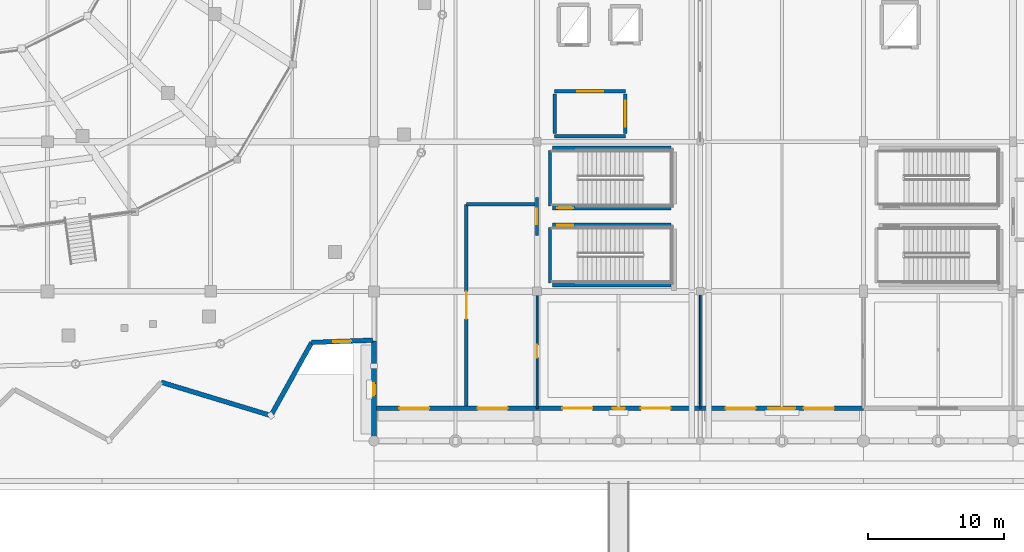
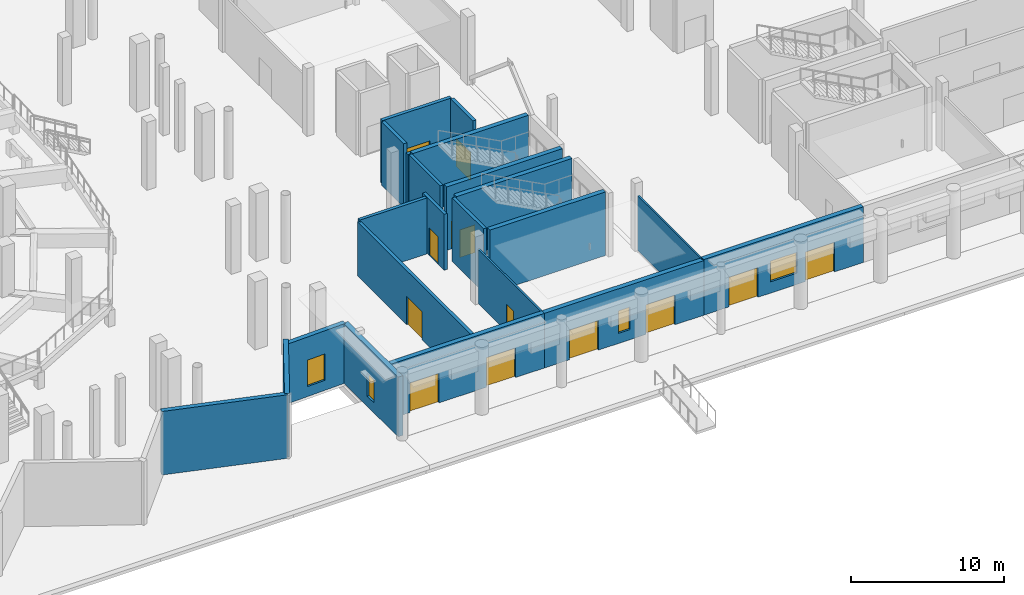
# One storey, part 63 of 120: 22 walls, 13 doors, 4 windows, 17 openings.
"""IFC4 building model written with IfcOpenShell, lengths in metres."""

from ifc_helpers import new_model, si_unit, direction, frame, frame_2d, origin, place, context, subcontext, project, spatial, rectangle, extrude, material, layer, layer_set, type_object, element, fill, save


model = new_model("IFC4")

# Units and contexts
model_context = context("Model", 3, precision=1e-05, world=origin(), true_north=direction((0.0, 1.0)))
body_context = subcontext(model_context, "Body", "Model", "MODEL_VIEW")
ifc_project = project(units=[si_unit("LENGTHUNIT", "METRE"), si_unit("AREAUNIT", "SQUARE_METRE"), si_unit("VOLUMEUNIT", "CUBIC_METRE"), si_unit("PLANEANGLEUNIT", "RADIAN"), si_unit("MASSUNIT", "GRAM", prefix="KILO")], contexts=[model_context])

# Site, building, storey
site_placement = place(None, origin())
site = spatial("IfcSite", under=ifc_project, at=site_placement, CompositionType="ELEMENT")
building_placement = place(site_placement, origin())
building = spatial("IfcBuilding", under=site, at=building_placement, Name="Luwafu Chhajja Arena", CompositionType="ELEMENT")
storey_placement = place(building_placement, origin())
storey = spatial("IfcBuildingStorey", under=building, at=storey_placement, Name="L00", CompositionType="ELEMENT", Elevation=0.0)

# Wall, opening, door
ifc_material_1 = material(Name="Concrete blockwork masonry", Category="masonry")
ifc_layer_1 = layer(ifc_material_1, 0.239990234375, Name="Concrete blockwork masonry")
ifc_layer_set_1 = layer_set([ifc_layer_1], Name="Concrete blockwork masonry")
wall_type_1 = type_object("IfcWallType", Name="Compartment Masonry Partition 240", PredefinedType="PARTITIONING", material=ifc_layer_set_1)
wall_1_placement = place(storey_placement, frame((146.800048828125, 2.550048828125, 0.0), z_axis=(0.0, 0.0, 1.0), x_axis=(0.0, 1.0, 0.0)))
wall_1 = element("IfcWall", 1, at=wall_1_placement, inside=storey, type_object=wall_type_1, Name="L00 Protected Exit Passageway EI 120 Wall WXP-C2-W", PredefinedType="PARTITIONING", context=body_context, shape_type="SweptSolid", body=[
    extrude(rectangle(XDim=14.849853515625, YDim=0.239990234375, at=frame_2d((7.4248046875, 0.0))), origin(), (0.0, 0.0, 1.0), 4.300048828125),
])
opening_1_placement = place(wall_1_placement, frame((6.425048828125, 0.0, 0.0)))
opening_1 = element("IfcOpeningElement", 2, at=opening_1_placement, cuts=wall_1, Name="Opening DR-08", PredefinedType="OPENING", context=body_context, shape_type="SweptSolid", body=[
    extrude(rectangle(XDim=2.0, YDim=2.25, at=frame_2d((1.0, 1.125))), frame((0.0, 0.1298828125, 0.0), z_axis=(0.0, -1.0, 0.0), x_axis=(1.0, 0.0, 0.0)), (0.0, 0.0, 1.0), 0.260009765625),
])
ifc_material_2 = material(Name="Fire-rated hardwood double leaf", Category="wood")
door_type_1 = type_object("IfcDoorType", Name="DR-08", OperationType="DOUBLE_DOOR_SINGLE_SWING", PredefinedType="DOOR", material=ifc_material_2)
door_1_placement = place(opening_1_placement, origin())
door_1 = element("IfcDoor", 3, at=door_1_placement, inside=storey, type_object=door_type_1, Name="L00 Protected Exit Passageway Fire Door L00-D068", OperationType="DOUBLE_DOOR_SINGLE_SWING", OverallHeight=2.25, OverallWidth=2.0, PredefinedType="DOOR", context=body_context, shape_type="SweptSolid", body=[
    extrude(rectangle(XDim=2.0, YDim=2.25, at=frame_2d((1.0, 1.125))), frame((0.0, 0.02490234375, 0.0), z_axis=(0.0, -1.0, 0.0), x_axis=(1.0, 0.0, 0.0)), (0.0, 0.0, 1.0), 0.050048828125),
])
fill(opening_1, door_1)

# Wall
wall_2_placement = place(storey_placement, frame((146.800048828125, 17.39990234375, 0.0), z_axis=(0.0, 0.0, 1.0), x_axis=(1.0, 0.0, 0.0)))
element("IfcWall", 4, at=wall_2_placement, inside=storey, type_object=wall_type_1, Name="L00 Protected Exit Passageway EI 120 Wall WXP-C2-N", PredefinedType="PARTITIONING", context=body_context, shape_type="SweptSolid", body=[
    extrude(rectangle(XDim=5.050048828125, YDim=0.239990234375, at=frame_2d((2.52490234375, 0.0))), origin(), (0.0, 0.0, 1.0), 4.449951171875),
])

# Wall, opening, door
wall_3_placement = place(storey_placement, frame((152.0, 15.10009765625, 0.0), z_axis=(0.0, 0.0, 1.0), x_axis=(0.0, 1.0, 0.0)))
wall_3 = element("IfcWall", 5, at=wall_3_placement, inside=storey, type_object=wall_type_1, Name="L00 Protected Exit Corridor Mouth Wall WXP-M-C2", PredefinedType="PARTITIONING", context=body_context, shape_type="SweptSolid", body=[
    extrude(rectangle(XDim=2.7998046875, YDim=0.239990234375, at=frame_2d((1.39990234375, 0.0))), origin(), (0.0, 0.0, 1.0), 4.449951171875),
])
opening_2_placement = place(wall_3_placement, frame((0.824951171875, 0.0, 0.0)))
opening_2 = element("IfcOpeningElement", 6, at=opening_2_placement, cuts=wall_3, Name="Opening DR-06", PredefinedType="OPENING", context=body_context, shape_type="SweptSolid", body=[
    extrude(rectangle(XDim=1.14990234375, YDim=2.199951171875, at=frame_2d((0.574951171875, 1.10009765625))), frame((0.0, 0.1298828125, 0.0), z_axis=(0.0, -1.0, 0.0), x_axis=(1.0, 0.0, 0.0)), (0.0, 0.0, 1.0), 0.260009765625),
])
ifc_material_3 = material(Name="Fire-rated hardwood and steel core", Category="steel")
door_type_2 = type_object("IfcDoorType", Name="DR-06", OperationType="NOTDEFINED", PredefinedType="DOOR", material=ifc_material_3)
door_2_placement = place(opening_2_placement, origin())
door_2 = element("IfcDoor", 7, at=door_2_placement, inside=storey, type_object=door_type_2, Name="L00 Protected Exit Corridor Fire Door L00-D075", OperationType="SINGLE_SWING_LEFT", OverallHeight=2.199951171875, OverallWidth=1.14990234375, PredefinedType="DOOR", context=body_context, shape_type="SweptSolid", body=[
    extrude(rectangle(XDim=1.14990234375, YDim=2.199951171875, at=frame_2d((0.574951171875, 1.10009765625))), frame((0.0, 0.02490234375, 0.0), z_axis=(0.0, -1.0, 0.0), x_axis=(1.0, 0.0, 0.0)), (0.0, 0.0, 1.0), 0.050048828125),
])
fill(opening_2, door_2)

ifc_material_4 = material(Name="Lightweight blockwork partition", Category="masonry")
ifc_layer_2 = layer(ifc_material_4, 0.139892578125, Name="Lightweight blockwork partition")
ifc_layer_set_2 = layer_set([ifc_layer_2], Name="Lightweight blockwork partition")
wall_type_2 = type_object("IfcWallType", Name="Concourse Kiosk Partition 140", PredefinedType="PARTITIONING", material=ifc_layer_set_2)
wall_4_placement = place(storey_placement, frame((152.0, 2.39990234375, 0.0), z_axis=(0.0, 0.0, 1.0), x_axis=(0.0, 1.0, 0.0)))
wall_4 = element("IfcWall", 8, at=wall_4_placement, inside=storey, type_object=wall_type_2, Name="L00 Internal Partition 0172", PredefinedType="PARTITIONING", context=body_context, shape_type="SweptSolid", body=[
    extrude(rectangle(XDim=8.380126953125, YDim=0.139892578125, at=frame_2d((4.18994140625, 0.0))), origin(), (0.0, 0.0, 1.0), 4.300048828125),
])
opening_3_placement = place(wall_4_placement, frame((3.7099609375, 0.0, 0.0)))
opening_3 = element("IfcOpeningElement", 9, at=opening_3_placement, cuts=wall_4, Name="Opening DR-22", PredefinedType="OPENING", context=body_context, shape_type="SweptSolid", body=[
    extrude(rectangle(XDim=0.9599609375, YDim=2.14990234375, at=frame_2d((0.47998046875, 1.074951171875))), frame((0.0, 0.079833984375, 0.0), z_axis=(0.0, -1.0, 0.0), x_axis=(1.0, 0.0, 0.0)), (0.0, 0.0, 1.0), 0.159912109375),
])
ifc_material_5 = material(Name="Hardwood flush office door", Category="wood")
door_type_3 = type_object("IfcDoorType", Name="DR-22", OperationType="NOTDEFINED", PredefinedType="DOOR", material=ifc_material_5)
door_3_placement = place(opening_3_placement, origin())
door_3 = element("IfcDoor", 10, at=door_3_placement, inside=storey, type_object=door_type_3, Name="L00 Interior Door L00-D047", OperationType="SINGLE_SWING_RIGHT", OverallHeight=2.14990234375, OverallWidth=0.9599609375, PredefinedType="DOOR", context=body_context, shape_type="SweptSolid", body=[
    extrude(rectangle(XDim=0.9599609375, YDim=2.14990234375, at=frame_2d((0.47998046875, 1.074951171875))), frame((0.0, 0.02490234375, 0.0), z_axis=(0.0, -1.0, 0.0), x_axis=(1.0, 0.0, 0.0)), (0.0, 0.0, 1.0), 0.050048828125),
])
fill(opening_3, door_3)

ifc_material_6 = material(Name="Concrete C40/50", Category="concrete")
ifc_layer_3 = layer(ifc_material_6, 0.260009765625, Name="Concrete C40/50")
ifc_layer_set_3 = layer_set([ifc_layer_3], Name="Concrete C40/50")
wall_type_3 = type_object("IfcWallType", Name="Firefighting Lobby Wall 260", PredefinedType="SOLIDWALL", material=ifc_layer_set_3)
wall_5_placement = place(storey_placement, frame((153.300048828125, 25.699951171875, 0.0), z_axis=(0.0, 0.0, 1.0), x_axis=(1.0, 0.0, 0.0)))
wall_5 = element("IfcWall", 11, at=wall_5_placement, inside=storey, type_object=wall_type_3, Name="L00 Core C2 Firefighting Lobby Wall N", PredefinedType="SOLIDWALL", context=body_context, shape_type="SweptSolid", body=[
    extrude(rectangle(XDim=5.199951171875, YDim=0.260009765625, at=frame_2d((2.60009765625, 0.0))), origin(), (0.0, 0.0, 1.0), 5.06005859375),
])
opening_4_placement = place(wall_5_placement, frame((1.64990234375, 0.0, 0.0)))
opening_4 = element("IfcOpeningElement", 12, at=opening_4_placement, cuts=wall_5, Name="Opening DR-07", PredefinedType="OPENING", context=body_context, shape_type="SweptSolid", body=[
    extrude(rectangle(XDim=1.89990234375, YDim=2.199951171875, at=frame_2d((0.949951171875, 1.10009765625))), frame((0.0, 0.139892578125, 0.0), z_axis=(0.0, -1.0, 0.0), x_axis=(1.0, 0.0, 0.0)), (0.0, 0.0, 1.0), 0.280029296875),
])
ifc_material_7 = material(Name="Fire-rated hardwood and vision panel", Category="wood")
door_type_4 = type_object("IfcDoorType", Name="DR-07", OperationType="DOUBLE_DOOR_SINGLE_SWING", PredefinedType="DOOR", material=ifc_material_7)
door_4_placement = place(opening_4_placement, origin())
door_4 = element("IfcDoor", 13, at=door_4_placement, inside=storey, type_object=door_type_4, Name="L00 Firefighting Lobby C2 Door L00-D007", OperationType="DOUBLE_DOOR_SINGLE_SWING", OverallHeight=2.199951171875, OverallWidth=1.89990234375, PredefinedType="DOOR", context=body_context, shape_type="SweptSolid", body=[
    extrude(rectangle(XDim=1.89990234375, YDim=2.199951171875, at=frame_2d((0.949951171875, 1.10009765625))), frame((0.0, 0.02490234375, 0.0), z_axis=(0.0, -1.0, 0.0), x_axis=(1.0, 0.0, 0.0)), (0.0, 0.0, 1.0), 0.050048828125),
])
fill(opening_4, door_4)

# Walls
wall_6_placement = place(storey_placement, frame((153.300048828125, 22.39990234375, 0.0), z_axis=(0.0, 0.0, 1.0), x_axis=(1.0, 0.0, 0.0)))
element("IfcWall", 14, at=wall_6_placement, inside=storey, type_object=wall_type_3, Name="L00 Core C2 Firefighting Lobby Wall S", PredefinedType="SOLIDWALL", context=body_context, shape_type="SweptSolid", body=[
    extrude(rectangle(XDim=5.199951171875, YDim=0.260009765625, at=frame_2d((2.60009765625, 0.0))), origin(), (0.0, 0.0, 1.0), 4.366455078125),
])
wall_7_placement = place(storey_placement, frame((153.300048828125, 22.60009765625, 0.0), z_axis=(0.0, 0.0, 1.0), x_axis=(0.0, 1.0, 0.0)))
element("IfcWall", 15, at=wall_7_placement, inside=storey, type_object=wall_type_3, Name="L00 Core C2 Firefighting Lobby Wall W", PredefinedType="SOLIDWALL", context=body_context, shape_type="SweptSolid", body=[
    extrude(rectangle(XDim=2.89990234375, YDim=0.260009765625, at=frame_2d((1.449951171875, 0.0))), origin(), (0.0, 0.0, 1.0), 5.06005859375),
])

# Wall, opening, door
wall_8_placement = place(storey_placement, frame((158.5, 22.60009765625, 0.0), z_axis=(0.0, 0.0, 1.0), x_axis=(0.0, 1.0, 0.0)))
wall_8 = element("IfcWall", 16, at=wall_8_placement, inside=storey, type_object=wall_type_3, Name="L00 Core C2 Firefighting Lobby Wall E", PredefinedType="SOLIDWALL", context=body_context, shape_type="SweptSolid", body=[
    extrude(rectangle(XDim=2.89990234375, YDim=0.260009765625, at=frame_2d((1.449951171875, 0.0))), origin(), (0.0, 0.0, 1.0), 5.06005859375),
])
opening_5_placement = place(wall_8_placement, frame((0.5, 0.0, 0.0)))
opening_5 = element("IfcOpeningElement", 17, at=opening_5_placement, cuts=wall_8, Name="Opening DR-07", PredefinedType="OPENING", context=body_context, shape_type="SweptSolid", body=[
    extrude(rectangle(XDim=1.89990234375, YDim=2.199951171875, at=frame_2d((0.949951171875, 1.10009765625))), frame((0.0, 0.139892578125, 0.0), z_axis=(0.0, -1.0, 0.0), x_axis=(1.0, 0.0, 0.0)), (0.0, 0.0, 1.0), 0.280029296875),
])
door_5_placement = place(opening_5_placement, origin())
door_5 = element("IfcDoor", 18, at=door_5_placement, inside=storey, type_object=door_type_4, Name="L00 Firefighting Lobby C2 Door L00-D008", OperationType="DOUBLE_DOOR_SINGLE_SWING", OverallHeight=2.199951171875, OverallWidth=1.89990234375, PredefinedType="DOOR", context=body_context, shape_type="SweptSolid", body=[
    extrude(rectangle(XDim=1.89990234375, YDim=2.199951171875, at=frame_2d((0.949951171875, 1.10009765625))), frame((0.0, 0.02490234375, 0.0), z_axis=(0.0, -1.0, 0.0), x_axis=(1.0, 0.0, 0.0)), (0.0, 0.0, 1.0), 0.050048828125),
])
fill(opening_5, door_5)

# Walls
ifc_material_8 = material(Name="Acoustic metal-stud gypsum board")
ifc_layer_4 = layer(ifc_material_8, 0.1201171875, Name="Acoustic metal-stud gypsum board")
ifc_layer_set_4 = layer_set([ifc_layer_4], Name="Acoustic metal-stud gypsum board")
wall_type_4 = type_object("IfcWallType", Name="Internal Room Partition 120", PredefinedType="PARTITIONING", material=ifc_layer_set_4)
wall_9_placement = place(storey_placement, frame((164.0, 2.39990234375, 0.0), z_axis=(0.0, 0.0, 1.0), x_axis=(0.0, 1.0, 0.0)))
element("IfcWall", 19, at=wall_9_placement, inside=storey, type_object=wall_type_4, Name="L00 Internal Partition 0176", PredefinedType="PARTITIONING", context=body_context, shape_type="SweptSolid", body=[
    extrude(rectangle(XDim=8.380126953125, YDim=0.1201171875, at=frame_2d((4.18994140625, 0.0))), origin(), (0.0, 0.0, 1.0), 4.35009765625),
])
ifc_material_9 = material(Name="Precast concrete C40/50", Category="concrete")
ifc_layer_5 = layer(ifc_material_9, 0.340087890625, Name="Precast concrete C40/50")
ifc_layer_set_5 = layer_set([ifc_layer_5], Name="Precast concrete C40/50")
wall_type_5 = type_object("IfcWallType", Name="Pleated Bowl V-Fold Wall 340", PredefinedType="USERDEFINED", material=ifc_layer_set_5)
wall_10_placement = place(storey_placement, frame((124.364013671875, 4.316162109375, 0.0), z_axis=(0.0, 0.0, 1.0), x_axis=(0.956738407321, -0.290949514446, 0.0)))
element("IfcWall", 20, at=wall_10_placement, inside=storey, type_object=wall_type_5, Name="L00 Pleated Bowl V-Fold Wall 54", ObjectType="PLEATED FACADE WALL", PredefinedType="USERDEFINED", context=body_context, shape_type="SweptSolid", body=[
    extrude(rectangle(XDim=8.427978515625, YDim=0.340087890625, at=frame_2d((4.2138671875, 0.0))), origin(), (0.0, 0.0, 1.0), 5.054931640625),
])
wall_11_placement = place(storey_placement, frame((132.427490234375, 1.864013671875, 0.0), z_axis=(0.0, 0.0, 1.0), x_axis=(0.487306352228, 0.87323108, 0.0)))
element("IfcWall", 21, at=wall_11_placement, inside=storey, type_object=wall_type_5, Name="L00 Pleated Bowl V-Fold Wall 55", ObjectType="PLEATED FACADE WALL", PredefinedType="USERDEFINED", context=body_context, shape_type="SweptSolid", body=[
    extrude(rectangle(XDim=6.15283203125, YDim=0.340087890625, at=frame_2d((3.076416015625, 0.0))), origin(), (0.0, 0.0, 1.0), 5.054931640625),
])

# Wall, opening, window
wall_12_placement = place(storey_placement, frame((135.42578125, 7.23681640625, 0.0), z_axis=(0.0, 0.0, 1.0), x_axis=(0.999296191983, 0.037511607381, 0.0)))
wall_12 = element("IfcWall", 22, at=wall_12_placement, inside=storey, type_object=wall_type_5, Name="L00 Pleated Bowl V-Fold Wall 56", ObjectType="PLEATED FACADE WALL", PredefinedType="USERDEFINED", context=body_context, shape_type="SweptSolid", body=[
    extrude(rectangle(XDim=4.497314453125, YDim=0.340087890625, at=frame_2d((2.24853515625, 0.0))), origin(), (0.0, 0.0, 1.0), 4.743408203125),
])
opening_6_placement = place(wall_12_placement, frame((1.573486328125, 0.0, 0.800048828125)))
opening_6 = element("IfcOpeningElement", 23, at=opening_6_placement, cuts=wall_12, Name="Opening WN-17", PredefinedType="OPENING", context=body_context, shape_type="SweptSolid", body=[
    extrude(rectangle(XDim=1.35009765625, YDim=2.10009765625, at=frame_2d((0.675048828125, 1.050048828125))), frame((0.0, 0.179931640625, 0.0), z_axis=(0.0, -1.0, 0.0), x_axis=(1.0, 0.0, 0.0)), (0.0, 0.0, 1.0), 0.360107421875),
])
ifc_material_10 = material(Name="Solar-control laminated glass", Category="glass")
window_type_1 = type_object("IfcWindowType", Name="Exhibition Mezzanine Lancet Window 1350x2100", PartitioningType="SINGLE_PANEL", PredefinedType="WINDOW", material=ifc_material_10)
window_1_placement = place(opening_6_placement, origin())
window_1 = element("IfcWindow", 24, at=window_1_placement, inside=storey, type_object=window_type_1, Name="L00 Pleated Bowl Lancet Window 002", OverallHeight=2.10009765625, OverallWidth=1.35009765625, PartitioningType="SINGLE_PANEL", PredefinedType="WINDOW", context=body_context, shape_type="SweptSolid", body=[
    extrude(rectangle(XDim=1.35009765625, YDim=2.10009765625, at=frame_2d((0.675048828125, 1.050048828125))), frame((0.0, 0.030029296875, 0.0), z_axis=(0.0, -1.0, 0.0), x_axis=(1.0, 0.0, 0.0)), (0.0, 0.0, 1.0), 0.06005859375),
])
fill(opening_6, window_1)

# Wall
ifc_layer_6 = layer(ifc_material_6, 0.35009765625, Name="Concrete C40/50")
ifc_layer_set_6 = layer_set([ifc_layer_6], Name="Concrete C40/50")
wall_type_6 = type_object("IfcWallType", Name="RC Core Shear Wall 350", PredefinedType="SOLIDWALL", material=ifc_layer_set_6)
wall_13_placement = place(storey_placement, frame((153.14990234375, 11.47802734375, 0.0), z_axis=(0.0, 0.0, 1.0), x_axis=(1.0, 0.0, 0.0)))
element("IfcWall", 25, at=wall_13_placement, inside=storey, type_object=wall_type_6, Name="L00 Stair ST-03 Core Shear Wall S", PredefinedType="SOLIDWALL", context=body_context, shape_type="SweptSolid", body=[
    extrude(rectangle(XDim=8.7001953125, YDim=0.35009765625, at=frame_2d((4.35009765625, 0.0))), origin(), (0.0, 0.0, 1.0), 5.06005859375),
])

# Wall, opening, door
wall_14_placement = place(storey_placement, frame((153.14990234375, 15.862060546875, 0.0), z_axis=(0.0, 0.0, 1.0), x_axis=(1.0, 0.0, 0.0)))
wall_14 = element("IfcWall", 26, at=wall_14_placement, inside=storey, type_object=wall_type_6, Name="L00 Stair ST-03 Core Shear Wall N", PredefinedType="SOLIDWALL", context=body_context, shape_type="SweptSolid", body=[
    extrude(rectangle(XDim=8.7001953125, YDim=0.35009765625, at=frame_2d((4.35009765625, 0.0))), origin(), (0.0, 0.0, 1.0), 5.06005859375),
])
opening_7_placement = place(wall_14_placement, frame((0.35009765625, 0.0, 0.0)))
opening_7 = element("IfcOpeningElement", 27, at=opening_7_placement, cuts=wall_14, Name="Opening DR-06", PredefinedType="OPENING", context=body_context, shape_type="SweptSolid", body=[
    extrude(rectangle(XDim=1.14990234375, YDim=2.199951171875, at=frame_2d((0.574951171875, 1.10009765625))), frame((0.0, 0.18505859375, 0.0), z_axis=(0.0, -1.0, 0.0), x_axis=(1.0, 0.0, 0.0)), (0.0, 0.0, 1.0), 0.3701171875),
])
door_6_placement = place(opening_7_placement, origin())
door_6 = element("IfcDoor", 28, at=door_6_placement, inside=storey, type_object=door_type_2, Name="L00 Escape Stair ST-03 Fire Door L00-D005", OperationType="SINGLE_SWING_RIGHT", OverallHeight=2.199951171875, OverallWidth=1.14990234375, PredefinedType="DOOR", context=body_context, shape_type="SweptSolid", body=[
    extrude(rectangle(XDim=1.14990234375, YDim=2.199951171875, at=frame_2d((0.574951171875, 1.10009765625))), frame((0.0, 0.02490234375, 0.0), z_axis=(0.0, -1.0, 0.0), x_axis=(1.0, 0.0, 0.0)), (0.0, 0.0, 1.0), 0.050048828125),
])
fill(opening_7, door_6)

wall_15_placement = place(storey_placement, frame((153.14990234375, 17.137939453125, 0.0), z_axis=(0.0, 0.0, 1.0), x_axis=(1.0, 0.0, 0.0)))
wall_15 = element("IfcWall", 29, at=wall_15_placement, inside=storey, type_object=wall_type_6, Name="L00 Stair ST-04 Core Shear Wall S", PredefinedType="SOLIDWALL", context=body_context, shape_type="SweptSolid", body=[
    extrude(rectangle(XDim=8.7001953125, YDim=0.35009765625, at=frame_2d((4.35009765625, 0.0))), origin(), (0.0, 0.0, 1.0), 5.06005859375),
])
opening_8_placement = place(wall_15_placement, frame((0.35009765625, 0.0, 0.0)))
opening_8 = element("IfcOpeningElement", 30, at=opening_8_placement, cuts=wall_15, Name="Opening DR-06", PredefinedType="OPENING", context=body_context, shape_type="SweptSolid", body=[
    extrude(rectangle(XDim=1.14990234375, YDim=2.199951171875, at=frame_2d((0.574951171875, 1.10009765625))), frame((0.0, 0.18505859375, 0.0), z_axis=(0.0, -1.0, 0.0), x_axis=(1.0, 0.0, 0.0)), (0.0, 0.0, 1.0), 0.3701171875),
])
door_7_placement = place(opening_8_placement, origin())
door_7 = element("IfcDoor", 31, at=door_7_placement, inside=storey, type_object=door_type_2, Name="L00 Escape Stair ST-04 Fire Door L00-D006", OperationType="SINGLE_SWING_LEFT", OverallHeight=2.199951171875, OverallWidth=1.14990234375, PredefinedType="DOOR", context=body_context, shape_type="SweptSolid", body=[
    extrude(rectangle(XDim=1.14990234375, YDim=2.199951171875, at=frame_2d((0.574951171875, 1.10009765625))), frame((0.0, 0.02490234375, 0.0), z_axis=(0.0, -1.0, 0.0), x_axis=(1.0, 0.0, 0.0)), (0.0, 0.0, 1.0), 0.050048828125),
])
fill(opening_8, door_7)

# Wall
wall_16_placement = place(storey_placement, frame((153.14990234375, 21.52197265625, 0.0), z_axis=(0.0, 0.0, 1.0), x_axis=(1.0, 0.0, 0.0)))
element("IfcWall", 32, at=wall_16_placement, inside=storey, type_object=wall_type_6, Name="L00 Stair ST-04 Core Shear Wall N", PredefinedType="SOLIDWALL", context=body_context, shape_type="SweptSolid", body=[
    extrude(rectangle(XDim=8.7001953125, YDim=0.35009765625, at=frame_2d((4.35009765625, 0.0))), origin(), (0.0, 0.0, 1.0), 5.06005859375),
])

# Wall, openings, doors
ifc_material_11 = material(Name="Concrete C35/45", Category="concrete")
ifc_layer_7 = layer(ifc_material_11, 0.360107421875, Name="Concrete C35/45")
ifc_layer_set_7 = layer_set([ifc_layer_7], Name="Concrete C35/45")
wall_type_7 = type_object("IfcWallType", Name="Sandstone Backed Exterior Wall 360", PredefinedType="SOLIDWALL", material=ifc_layer_set_7)
wall_17_placement = place(storey_placement, frame((140.0, 2.39990234375, 0.0), z_axis=(0.0, 0.0, 1.0), x_axis=(1.0, 0.0, 0.0)))
wall_17 = element("IfcWall", 33, at=wall_17_placement, inside=storey, type_object=wall_type_7, Name="L00 Exterior Wall WEX-L00-081", PredefinedType="SOLIDWALL", context=body_context, shape_type="SweptSolid", body=[
    extrude(rectangle(XDim=12.0, YDim=0.360107421875, at=frame_2d((6.0, 0.0))), origin(), (0.0, 0.0, 1.0), 4.35009765625),
])
opening_9_placement = place(wall_17_placement, frame((1.8701171875, 0.0, 0.0)))
opening_9 = element("IfcOpeningElement", 34, at=opening_9_placement, cuts=wall_17, Name="Opening DR-03", PredefinedType="OPENING", context=body_context, shape_type="SweptSolid", body=[
    extrude(rectangle(XDim=2.199951171875, YDim=2.35009765625, at=frame_2d((1.10009765625, 1.175048828125))), frame((0.0, 0.18994140625, 0.0), z_axis=(0.0, -1.0, 0.0), x_axis=(1.0, 0.0, 0.0)), (0.0, 0.0, 1.0), 0.380126953125),
])
opening_10_placement = place(wall_17_placement, frame((7.6298828125, 0.0, 0.0)))
opening_10 = element("IfcOpeningElement", 35, at=opening_10_placement, cuts=wall_17, Name="Opening DR-03", PredefinedType="OPENING", context=body_context, shape_type="SweptSolid", body=[
    extrude(rectangle(XDim=2.199951171875, YDim=2.35009765625, at=frame_2d((1.10009765625, 1.175048828125))), frame((0.0, 0.18994140625, 0.0), z_axis=(0.0, -1.0, 0.0), x_axis=(1.0, 0.0, 0.0)), (0.0, 0.0, 1.0), 0.380126953125),
])
ifc_material_12 = material(Name="Fire-rated bronze aluminium and glazed vision leaves", Category="aluminium")
door_type_5 = type_object("IfcDoorType", Name="DR-03", OperationType="DOUBLE_DOOR_SINGLE_SWING", PredefinedType="DOOR", material=ifc_material_12)
door_8_placement = place(opening_9_placement, frame((2.199951171875, 0.0, 0.0), z_axis=(0.0, 0.0, 1.0), x_axis=(-1.0, 0.0, 0.0)))
door_8 = element("IfcDoor", 36, at=door_8_placement, inside=storey, type_object=door_type_5, Name="Main exit E-14", OperationType="DOUBLE_DOOR_SINGLE_SWING", OverallHeight=2.35009765625, OverallWidth=2.199951171875, PredefinedType="DOOR", context=body_context, shape_type="SweptSolid", body=[
    extrude(rectangle(XDim=2.199951171875, YDim=2.35009765625, at=frame_2d((1.10009765625, 1.175048828125))), frame((0.0, 0.02490234375, 0.0), z_axis=(0.0, -1.0, 0.0), x_axis=(1.0, 0.0, 0.0)), (0.0, 0.0, 1.0), 0.050048828125),
])
fill(opening_9, door_8)
door_9_placement = place(opening_10_placement, frame((2.199951171875, 0.0, 0.0), z_axis=(0.0, 0.0, 1.0), x_axis=(-1.0, 0.0, 0.0)))
door_9 = element("IfcDoor", 37, at=door_9_placement, inside=storey, type_object=door_type_5, Name="Main exit E-15", OperationType="DOUBLE_DOOR_SINGLE_SWING", OverallHeight=2.35009765625, OverallWidth=2.199951171875, PredefinedType="DOOR", context=body_context, shape_type="SweptSolid", body=[
    extrude(rectangle(XDim=2.199951171875, YDim=2.35009765625, at=frame_2d((1.10009765625, 1.175048828125))), frame((0.0, 0.02490234375, 0.0), z_axis=(0.0, -1.0, 0.0), x_axis=(1.0, 0.0, 0.0)), (0.0, 0.0, 1.0), 0.050048828125),
])
fill(opening_10, door_9)

# Wall, opening, window
wall_18_placement = place(storey_placement, frame((140.0, 0.219970703125, 0.0), z_axis=(0.0, 0.0, 1.0), x_axis=(0.0, 1.0, 0.0)))
wall_18 = element("IfcWall", 38, at=wall_18_placement, inside=storey, type_object=wall_type_7, Name="L00 Exterior Wall WEX-L00-082", PredefinedType="SOLIDWALL", context=body_context, shape_type="SweptSolid", body=[
    extrude(rectangle(XDim=7.12841796875, YDim=0.360107421875, at=frame_2d((3.564208984375, 0.0))), origin(), (0.0, 0.0, 1.0), 4.743408203125),
])
opening_11_placement = place(wall_18_placement, frame((3.114013671875, 0.0, 0.800048828125)))
opening_11 = element("IfcOpeningElement", 39, at=opening_11_placement, cuts=wall_18, Name="Opening WN-16", PredefinedType="OPENING", context=body_context, shape_type="SweptSolid", body=[
    extrude(rectangle(XDim=0.89990234375, YDim=1.800048828125, at=frame_2d((0.449951171875, 0.89990234375))), frame((0.0, 0.18994140625, 0.0), z_axis=(0.0, -1.0, 0.0), x_axis=(1.0, 0.0, 0.0)), (0.0, 0.0, 1.0), 0.380126953125),
])
window_type_2 = type_object("IfcWindowType", Name="Stair Core Daylight Slot Window 900x1800", PartitioningType="SINGLE_PANEL", PredefinedType="WINDOW", material=ifc_material_10)
window_2_placement = place(opening_11_placement, origin())
window_2 = element("IfcWindow", 40, at=window_2_placement, inside=storey, type_object=window_type_2, Name="L00 Facade Window 278", OverallHeight=1.800048828125, OverallWidth=0.89990234375, PartitioningType="SINGLE_PANEL", PredefinedType="WINDOW", context=body_context, shape_type="SweptSolid", body=[
    extrude(rectangle(XDim=0.89990234375, YDim=1.800048828125, at=frame_2d((0.449951171875, 0.89990234375))), frame((0.0, 0.030029296875, 0.0), z_axis=(0.0, -1.0, 0.0), x_axis=(1.0, 0.0, 0.0)), (0.0, 0.0, 1.0), 0.06005859375),
])
fill(opening_11, window_2)

# Wall, openings, doors, window
wall_19_placement = place(storey_placement, frame((152.0, 2.39990234375, 0.0), z_axis=(0.0, 0.0, 1.0), x_axis=(1.0, 0.0, 0.0)))
wall_19 = element("IfcWall", 41, at=wall_19_placement, inside=storey, type_object=wall_type_7, Name="L00 Exterior Wall WEX-L00-086", PredefinedType="SOLIDWALL", context=body_context, shape_type="SweptSolid", body=[
    extrude(rectangle(XDim=12.0, YDim=0.360107421875, at=frame_2d((6.0, 0.0))), origin(), (0.0, 0.0, 1.0), 4.35009765625),
])
opening_12_placement = place(wall_19_placement, frame((1.8701171875, 0.0, 0.0)))
opening_12 = element("IfcOpeningElement", 42, at=opening_12_placement, cuts=wall_19, Name="Opening DR-03", PredefinedType="OPENING", context=body_context, shape_type="SweptSolid", body=[
    extrude(rectangle(XDim=2.199951171875, YDim=2.35009765625, at=frame_2d((1.10009765625, 1.175048828125))), frame((0.0, 0.18994140625, 0.0), z_axis=(0.0, -1.0, 0.0), x_axis=(1.0, 0.0, 0.0)), (0.0, 0.0, 1.0), 0.380126953125),
])
opening_13_placement = place(wall_19_placement, frame((7.6298828125, 0.0, 0.0)))
opening_13 = element("IfcOpeningElement", 43, at=opening_13_placement, cuts=wall_19, Name="Opening DR-03", PredefinedType="OPENING", context=body_context, shape_type="SweptSolid", body=[
    extrude(rectangle(XDim=2.199951171875, YDim=2.35009765625, at=frame_2d((1.10009765625, 1.175048828125))), frame((0.0, 0.18994140625, 0.0), z_axis=(0.0, -1.0, 0.0), x_axis=(1.0, 0.0, 0.0)), (0.0, 0.0, 1.0), 0.380126953125),
])
opening_14_placement = place(wall_19_placement, frame((5.550048828125, 0.0, 0.800048828125)))
opening_14 = element("IfcOpeningElement", 44, at=opening_14_placement, cuts=wall_19, Name="Opening WN-16", PredefinedType="OPENING", context=body_context, shape_type="SweptSolid", body=[
    extrude(rectangle(XDim=0.89990234375, YDim=1.800048828125, at=frame_2d((0.449951171875, 0.89990234375))), frame((0.0, 0.18994140625, 0.0), z_axis=(0.0, -1.0, 0.0), x_axis=(1.0, 0.0, 0.0)), (0.0, 0.0, 1.0), 0.380126953125),
])
door_10_placement = place(opening_12_placement, frame((2.199951171875, 0.0, 0.0), z_axis=(0.0, 0.0, 1.0), x_axis=(-1.0, 0.0, 0.0)))
door_10 = element("IfcDoor", 45, at=door_10_placement, inside=storey, type_object=door_type_5, Name="Main exit E-20", OperationType="DOUBLE_DOOR_SINGLE_SWING", OverallHeight=2.35009765625, OverallWidth=2.199951171875, PredefinedType="DOOR", context=body_context, shape_type="SweptSolid", body=[
    extrude(rectangle(XDim=2.199951171875, YDim=2.35009765625, at=frame_2d((1.10009765625, 1.175048828125))), frame((0.0, 0.02490234375, 0.0), z_axis=(0.0, -1.0, 0.0), x_axis=(1.0, 0.0, 0.0)), (0.0, 0.0, 1.0), 0.050048828125),
])
fill(opening_12, door_10)
door_11_placement = place(opening_13_placement, frame((2.199951171875, 0.0, 0.0), z_axis=(0.0, 0.0, 1.0), x_axis=(-1.0, 0.0, 0.0)))
door_11 = element("IfcDoor", 46, at=door_11_placement, inside=storey, type_object=door_type_5, Name="Main exit E-21", OperationType="DOUBLE_DOOR_SINGLE_SWING", OverallHeight=2.35009765625, OverallWidth=2.199951171875, PredefinedType="DOOR", context=body_context, shape_type="SweptSolid", body=[
    extrude(rectangle(XDim=2.199951171875, YDim=2.35009765625, at=frame_2d((1.10009765625, 1.175048828125))), frame((0.0, 0.02490234375, 0.0), z_axis=(0.0, -1.0, 0.0), x_axis=(1.0, 0.0, 0.0)), (0.0, 0.0, 1.0), 0.050048828125),
])
fill(opening_13, door_11)
window_3_placement = place(opening_14_placement, origin())
window_3 = element("IfcWindow", 47, at=window_3_placement, inside=storey, type_object=window_type_2, Name="L00 Facade Window 282", OverallHeight=1.800048828125, OverallWidth=0.89990234375, PartitioningType="SINGLE_PANEL", PredefinedType="WINDOW", context=body_context, shape_type="SweptSolid", body=[
    extrude(rectangle(XDim=0.89990234375, YDim=1.800048828125, at=frame_2d((0.449951171875, 0.89990234375))), frame((0.0, 0.030029296875, 0.0), z_axis=(0.0, -1.0, 0.0), x_axis=(1.0, 0.0, 0.0)), (0.0, 0.0, 1.0), 0.06005859375),
])
fill(opening_14, window_3)

# Wall, openings, window, doors
wall_20_placement = place(storey_placement, frame((164.0, 2.39990234375, 0.0), z_axis=(0.0, 0.0, 1.0), x_axis=(1.0, 0.0, 0.0)))
wall_20 = element("IfcWall", 48, at=wall_20_placement, inside=storey, type_object=wall_type_7, Name="L00 Exterior Wall WEX-L00-087", PredefinedType="SOLIDWALL", context=body_context, shape_type="SweptSolid", body=[
    extrude(rectangle(XDim=12.0, YDim=0.360107421875, at=frame_2d((6.0, 0.0))), origin(), (0.0, 0.0, 1.0), 4.4296875),
])
opening_15_placement = place(wall_20_placement, frame((1.8701171875, 0.0, 0.0)))
opening_15 = element("IfcOpeningElement", 49, at=opening_15_placement, cuts=wall_20, Name="Opening DR-03", PredefinedType="OPENING", context=body_context, shape_type="SweptSolid", body=[
    extrude(rectangle(XDim=2.199951171875, YDim=2.35009765625, at=frame_2d((1.10009765625, 1.175048828125))), frame((0.0, 0.18994140625, 0.0), z_axis=(0.0, -1.0, 0.0), x_axis=(1.0, 0.0, 0.0)), (0.0, 0.0, 1.0), 0.380126953125),
])
opening_16_placement = place(wall_20_placement, frame((7.6298828125, 0.0, 0.0)))
opening_16 = element("IfcOpeningElement", 50, at=opening_16_placement, cuts=wall_20, Name="Opening DR-03", PredefinedType="OPENING", context=body_context, shape_type="SweptSolid", body=[
    extrude(rectangle(XDim=2.199951171875, YDim=2.35009765625, at=frame_2d((1.10009765625, 1.175048828125))), frame((0.0, 0.18994140625, 0.0), z_axis=(0.0, -1.0, 0.0), x_axis=(1.0, 0.0, 0.0)), (0.0, 0.0, 1.0), 0.380126953125),
])
opening_17_placement = place(wall_20_placement, frame((5.0, 0.0, 0.89990234375)))
opening_17 = element("IfcOpeningElement", 51, at=opening_17_placement, cuts=wall_20, Name="Opening WN-10", PredefinedType="OPENING", context=body_context, shape_type="SweptSolid", body=[
    extrude(rectangle(XDim=2.0, YDim=1.64990234375, at=frame_2d((1.0, 0.824951171875))), frame((0.0, 0.18994140625, 0.0), z_axis=(0.0, -1.0, 0.0), x_axis=(1.0, 0.0, 0.0)), (0.0, 0.0, 1.0), 0.380126953125),
])
window_type_3 = type_object("IfcWindowType", Name="Community Classroom Window 2000x1650", PartitioningType="SINGLE_PANEL", PredefinedType="WINDOW", material=ifc_material_10)
window_4_placement = place(opening_17_placement, origin())
window_4 = element("IfcWindow", 52, at=window_4_placement, inside=storey, type_object=window_type_3, Name="L00 Facade Window 283", OverallHeight=1.64990234375, OverallWidth=2.0, PartitioningType="SINGLE_PANEL", PredefinedType="WINDOW", context=body_context, shape_type="SweptSolid", body=[
    extrude(rectangle(XDim=2.0, YDim=1.64990234375, at=frame_2d((1.0, 0.824951171875))), frame((0.0, 0.030029296875, 0.0), z_axis=(0.0, -1.0, 0.0), x_axis=(1.0, 0.0, 0.0)), (0.0, 0.0, 1.0), 0.06005859375),
])
fill(opening_17, window_4)
door_12_placement = place(opening_15_placement, frame((2.199951171875, 0.0, 0.0), z_axis=(0.0, 0.0, 1.0), x_axis=(-1.0, 0.0, 0.0)))
door_12 = element("IfcDoor", 53, at=door_12_placement, inside=storey, type_object=door_type_5, Name="Main exit E-22", OperationType="DOUBLE_DOOR_SINGLE_SWING", OverallHeight=2.35009765625, OverallWidth=2.199951171875, PredefinedType="DOOR", context=body_context, shape_type="SweptSolid", body=[
    extrude(rectangle(XDim=2.199951171875, YDim=2.35009765625, at=frame_2d((1.10009765625, 1.175048828125))), frame((0.0, 0.02490234375, 0.0), z_axis=(0.0, -1.0, 0.0), x_axis=(1.0, 0.0, 0.0)), (0.0, 0.0, 1.0), 0.050048828125),
])
fill(opening_15, door_12)
door_13_placement = place(opening_16_placement, frame((2.199951171875, 0.0, 0.0), z_axis=(0.0, 0.0, 1.0), x_axis=(-1.0, 0.0, 0.0)))
door_13 = element("IfcDoor", 54, at=door_13_placement, inside=storey, type_object=door_type_5, Name="Main exit E-23", OperationType="DOUBLE_DOOR_SINGLE_SWING", OverallHeight=2.35009765625, OverallWidth=2.199951171875, PredefinedType="DOOR", context=body_context, shape_type="SweptSolid", body=[
    extrude(rectangle(XDim=2.199951171875, YDim=2.35009765625, at=frame_2d((1.10009765625, 1.175048828125))), frame((0.0, 0.02490234375, 0.0), z_axis=(0.0, -1.0, 0.0), x_axis=(1.0, 0.0, 0.0)), (0.0, 0.0, 1.0), 0.050048828125),
])
fill(opening_16, door_13)

# Walls
ifc_layer_8 = layer(ifc_material_11, 0.22998046875, Name="Concrete C35/45")
ifc_layer_set_8 = layer_set([ifc_layer_8], Name="Concrete C35/45")
wall_type_8 = type_object("IfcWallType", Name="Stair Enclosure Wall 230", PredefinedType="SOLIDWALL", material=ifc_layer_set_8)
for number, where, z_axis, x_axis, name in (
    (55, (152.9599609375, 11.6298828125, 0.0), (0.0, 0.0, 1.0), (0.0, 1.0, 0.0), "L00 Stair ST-03 Enclosure Wall W"),
    (56, (152.9599609375, 17.2900390625, 0.0), (0.0, 0.0, 1.0), (0.0, 1.0, 0.0), "L00 Stair ST-04 Enclosure Wall W"),
):
    element("IfcWall", number, at=place(storey_placement, frame(where, z_axis=z_axis, x_axis=x_axis)), inside=storey, type_object=wall_type_8, Name=name, PredefinedType="SOLIDWALL", context=body_context, shape_type="SweptSolid", body=[
        extrude(rectangle(XDim=4.080078125, YDim=0.22998046875, at=frame_2d((2.0400390625, 0.0))), origin(), (0.0, 0.0, 1.0), 5.06005859375),
    ])

save(model, "model.ifc")
